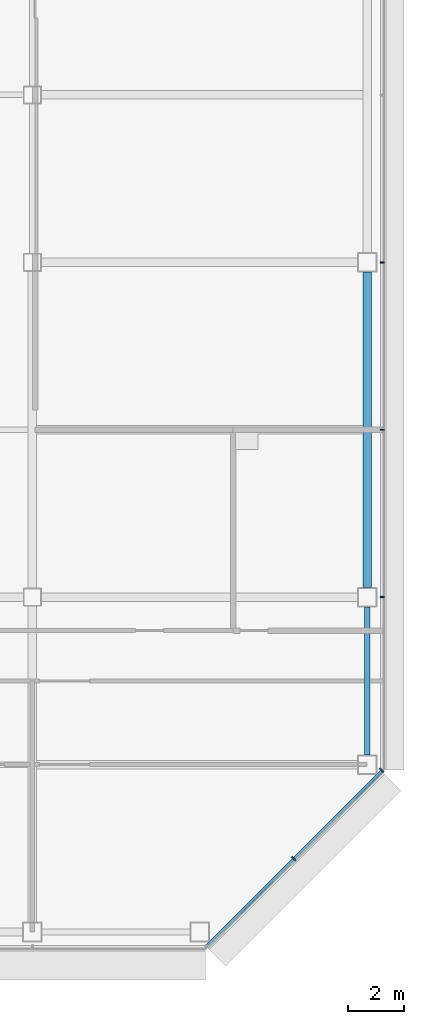
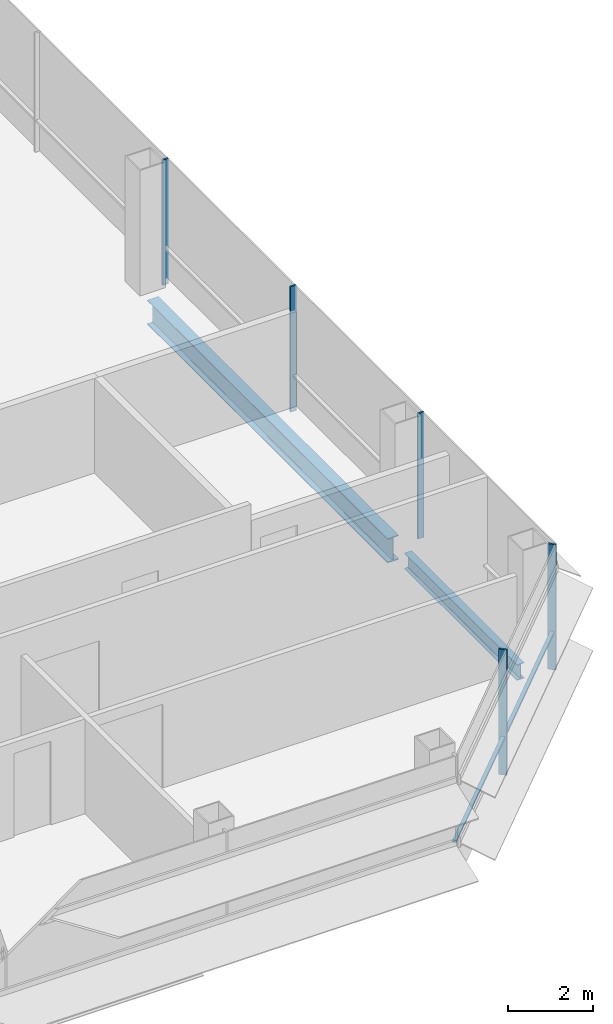
# One storey, part 15 of 24: 6 members, 2 beams, 2 elements without a shape of their own.
"""IFC4 building model written with IfcOpenShell, lengths in metres."""

from ifc_helpers import new_model, si_unit, direction, frame, origin, origin_2d, place, context, subcontext, project, spatial, rectangle, i_section, extrude, material, material_profile, profile_set, type_object, element, aggregate, save


model = new_model("IFC4")

# Units and contexts
model_context = context("Model", 3, precision=1e-05, world=origin(), true_north=direction((0.0, 1.0)))
body_context = subcontext(model_context, "Body", "Model", "MODEL_VIEW")
ifc_project = project(units=[si_unit("LENGTHUNIT", "METRE"), si_unit("AREAUNIT", "SQUARE_METRE"), si_unit("VOLUMEUNIT", "CUBIC_METRE"), si_unit("PLANEANGLEUNIT", "RADIAN"), si_unit("MASSUNIT", "GRAM", prefix="KILO")], contexts=[model_context])

# Site, building, storey
site_placement = place(None, origin())
site = spatial("IfcSite", under=ifc_project, at=site_placement, CompositionType="ELEMENT")
building_placement = place(site_placement, origin())
building = spatial("IfcBuilding", under=site, at=building_placement, Name="Sorahane Residences", CompositionType="ELEMENT")
storey_placement = place(building_placement, frame((0.0, 0.0, 178.0)))
storey = spatial("IfcBuildingStorey", under=building, at=storey_placement, Name="L41", CompositionType="ELEMENT", Elevation=178.0)

# Curtain wall, members
ifc_material_1 = material(Name="Dark low-e glass and black anodised aluminium", Category="aluminium")
curtain_wall_type_1 = type_object("IfcCurtainWallType", Name="Curtain wall CW-1 Typical unitised wall", PredefinedType="NOTDEFINED", material=ifc_material_1)
curtain_wall_1_placement = place(storey_placement, origin())
curtain_wall_1 = element("IfcCurtainWall", 1, at=curtain_wall_1_placement, inside=storey, type_object=curtain_wall_type_1, Name="CW-1 curtain wall L41 E1", PredefinedType="NOTDEFINED")
ifc_material_2 = material(Name="Black anodised aluminium", Category="aluminium")
ifc_material_profile_1 = material_profile(ifc_material_2, rectangle(XDim=0.159912109375, YDim=0.050048828125, at=origin_2d()), Name="Curtain wall mullion CW-1 black anodised aluminium 50x160")
ifc_profile_set_1 = profile_set([ifc_material_profile_1], Name="Black anodised aluminium")
member_type_1 = type_object("IfcMemberType", Name="Curtain wall mullion CW-1 black anodised aluminium 50x160", PredefinedType="MULLION", material=ifc_profile_set_1)
member_1_placement = place(storey_placement, frame((60.5400390625, 12.0, -0.179931640625), z_axis=(0.0, 0.0, 1.0), x_axis=(1.0, 0.0, 0.0)))
member_1 = element("IfcMember", 2, at=member_1_placement, type_object=member_type_1, Name="CW-1 mullion L41 E1.2", PredefinedType="MULLION", context=body_context, shape_type="SweptSolid", body=[
    extrude(rectangle(XDim=0.159912109375, YDim=0.050048828125, at=origin_2d()), origin(), (0.0, 0.0, 1.0), 3.599853515625),
])
member_2_placement = place(storey_placement, frame((60.5400390625, 18.0, -0.179931640625), z_axis=(0.0, 0.0, 1.0), x_axis=(1.0, 0.0, 0.0)))
member_2 = element("IfcMember", 3, at=member_2_placement, type_object=member_type_1, Name="CW-1 mullion L41 E1.3", PredefinedType="MULLION", context=body_context, shape_type="SweptSolid", body=[
    extrude(rectangle(XDim=0.159912109375, YDim=0.050048828125, at=origin_2d()), origin(), (0.0, 0.0, 1.0), 3.599853515625),
])
member_3_placement = place(storey_placement, frame((60.5400390625, 24.0, -0.179931640625), z_axis=(0.0, 0.0, 1.0), x_axis=(1.0, 0.0, 0.0)))
member_3 = element("IfcMember", 4, at=member_3_placement, type_object=member_type_1, Name="CW-1 mullion L41 E1.4", PredefinedType="MULLION", context=body_context, shape_type="SweptSolid", body=[
    extrude(rectangle(XDim=0.159912109375, YDim=0.050048828125, at=origin_2d()), origin(), (0.0, 0.0, 1.0), 3.599853515625),
])
aggregate(curtain_wall_1, [member_1, member_2, member_3])

ifc_material_3 = material(Name="Dark low-e glass and black anodised aluminium", Category="aluminium")
curtain_wall_type_2 = type_object("IfcCurtainWallType", Name="Curtain wall CW-2 Chamfer unitised wall", PredefinedType="NOTDEFINED", material=ifc_material_3)
curtain_wall_2_placement = place(storey_placement, origin())
curtain_wall_2 = element("IfcCurtainWall", 5, at=curtain_wall_2_placement, inside=storey, type_object=curtain_wall_type_2, Name="CW-2 curtain wall L41 SE1", PredefinedType="NOTDEFINED")
ifc_material_4 = material(Name="Black anodised aluminium", Category="aluminium")
ifc_material_profile_2 = material_profile(ifc_material_4, rectangle(XDim=0.199951171875, YDim=0.050048828125, at=origin_2d()), Name="Curtain wall mullion CW-2 black anodised aluminium 50x200")
ifc_profile_set_2 = profile_set([ifc_material_profile_2], Name="Black anodised aluminium")
member_type_2 = type_object("IfcMemberType", Name="Curtain wall mullion CW-2 black anodised aluminium 50x200", PredefinedType="MULLION", material=ifc_profile_set_2)
member_4_placement = place(storey_placement, frame((57.36767578125, 2.63232421875, -0.179931640625), z_axis=(0.0, 0.0, 1.0), x_axis=(0.707106781187, -0.707106781187, 0.0)))
member_4 = element("IfcMember", 6, at=member_4_placement, type_object=member_type_2, Name="CW-2 mullion L41 SE1.2", PredefinedType="MULLION", context=body_context, shape_type="SweptSolid", body=[
    extrude(rectangle(XDim=0.199951171875, YDim=0.050048828125, at=origin_2d()), origin(), (0.0, 0.0, 1.0), 3.599853515625),
])
member_5_placement = place(storey_placement, frame((60.525634765625, 5.790283203125, -0.179931640625), z_axis=(0.0, 0.0, 1.0), x_axis=(0.707106781187, -0.707106781187, 0.0)))
member_5 = element("IfcMember", 7, at=member_5_placement, type_object=member_type_2, Name="CW-2 mullion L41 SE1.3", PredefinedType="MULLION", context=body_context, shape_type="SweptSolid", body=[
    extrude(rectangle(XDim=0.199951171875, YDim=0.050048828125, at=origin_2d()), origin(), (0.0, 0.0, 1.0), 3.599853515625),
])
ifc_material_5 = material(Name="Black anodised aluminium", Category="aluminium")
ifc_material_profile_3 = material_profile(ifc_material_5, rectangle(XDim=0.10009765625, YDim=0.06005859375, at=origin_2d()), Name="Curtain wall transom CW-2 black anodised aluminium 60x100")
ifc_profile_set_3 = profile_set([ifc_material_profile_3], Name="Black anodised aluminium")
member_type_3 = type_object("IfcMemberType", Name="Curtain wall transom CW-2 black anodised aluminium 60x100", PredefinedType="USERDEFINED", material=ifc_profile_set_3)
member_6_placement = place(storey_placement, frame((54.234375, -0.51513671875, 0.89990234375), z_axis=(0.707106781187, 0.707106781187, 0.0), x_axis=(-0.707106781187, 0.707106781187, 0.0)))
member_6 = element("IfcMember", 8, at=member_6_placement, type_object=member_type_3, Name="CW-2 transom L41 SE1", ObjectType="TRANSOM", PredefinedType="USERDEFINED", context=body_context, shape_type="SweptSolid", body=[
    extrude(rectangle(XDim=0.10009765625, YDim=0.06005859375, at=origin_2d()), origin(), (0.0, 0.0, 1.0), 8.88232421875),
])
aggregate(curtain_wall_2, [member_4, member_5, member_6])

# Beams
ifc_material_6 = material(Name="Steel Q355B", Category="steel")
ifc_material_profile_4 = material_profile(ifc_material_6, i_section(OverallWidth=0.199951171875, OverallDepth=0.449951171875, WebThickness=0.009033203125, FlangeThickness=0.013916015625, FilletRadius=0.02001953125, at=origin_2d()), Name="HN 450x200x9x14")
ifc_profile_set_4 = profile_set([ifc_material_profile_4], Name="Steel Q355B")
beam_type_1 = type_object("IfcBeamType", Name="Steel floor beam HN 450x200x9x14 Q355B", PredefinedType="BEAM", material=ifc_profile_set_4)
beam_1_placement = place(storey_placement, frame((60.0, 6.35009765625, -0.405029296875), z_axis=(0.0, 1.0, 0.0), x_axis=(-1.0, 0.0, 0.0)))
element("IfcBeam", 9, at=beam_1_placement, inside=storey, type_object=beam_type_1, Name="Beam L41 064", PredefinedType="BEAM", context=body_context, shape_type="SweptSolid", body=[
    extrude(i_section(OverallWidth=0.199951171875, OverallDepth=0.449951171875, WebThickness=0.009033203125, FlangeThickness=0.013916015625, FilletRadius=0.02001953125, at=origin_2d()), origin(), (0.0, 0.0, 1.0), 5.2998046875),
])
ifc_material_7 = material(Name="Steel Q355B", Category="steel")
ifc_material_profile_5 = material_profile(ifc_material_7, i_section(OverallWidth=0.300048828125, OverallDepth=0.699951171875, WebThickness=0.012939453125, FlangeThickness=0.02392578125, FilletRadius=0.028076171875, at=origin_2d()), Name="HN 700x300x13x24")
ifc_profile_set_5 = profile_set([ifc_material_profile_5], Name="Steel Q355B")
beam_type_2 = type_object("IfcBeamType", Name="Steel floor beam HN 700x300x13x24 Q355B", PredefinedType="BEAM", material=ifc_profile_set_5)
beam_2_placement = place(storey_placement, frame((60.0, 12.35009765625, -0.530029296875), z_axis=(0.0, 1.0, 0.0), x_axis=(-1.0, 0.0, 0.0)))
element("IfcBeam", 10, at=beam_2_placement, inside=storey, type_object=beam_type_2, Name="Beam L41 065", PredefinedType="BEAM", context=body_context, shape_type="SweptSolid", body=[
    extrude(i_section(OverallWidth=0.300048828125, OverallDepth=0.699951171875, WebThickness=0.012939453125, FlangeThickness=0.02392578125, FilletRadius=0.028076171875, at=origin_2d()), origin(), (0.0, 0.0, 1.0), 11.2998046875),
])

save(model, "model.ifc")
